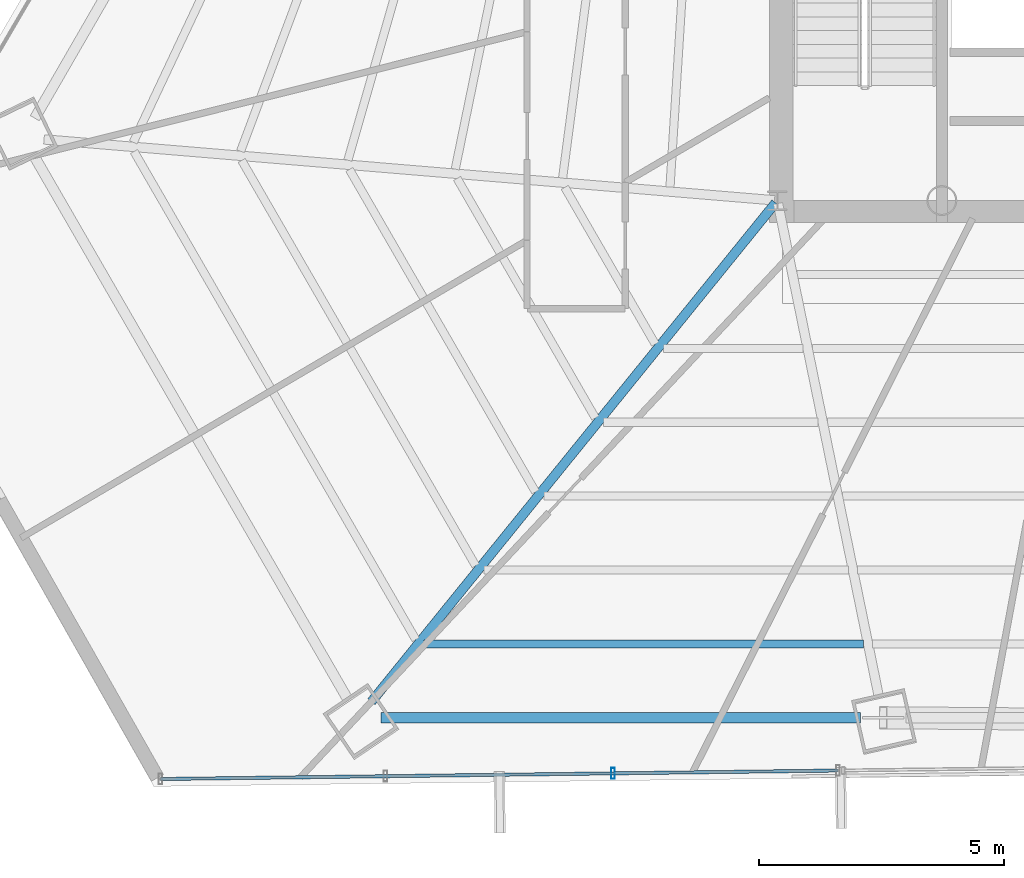
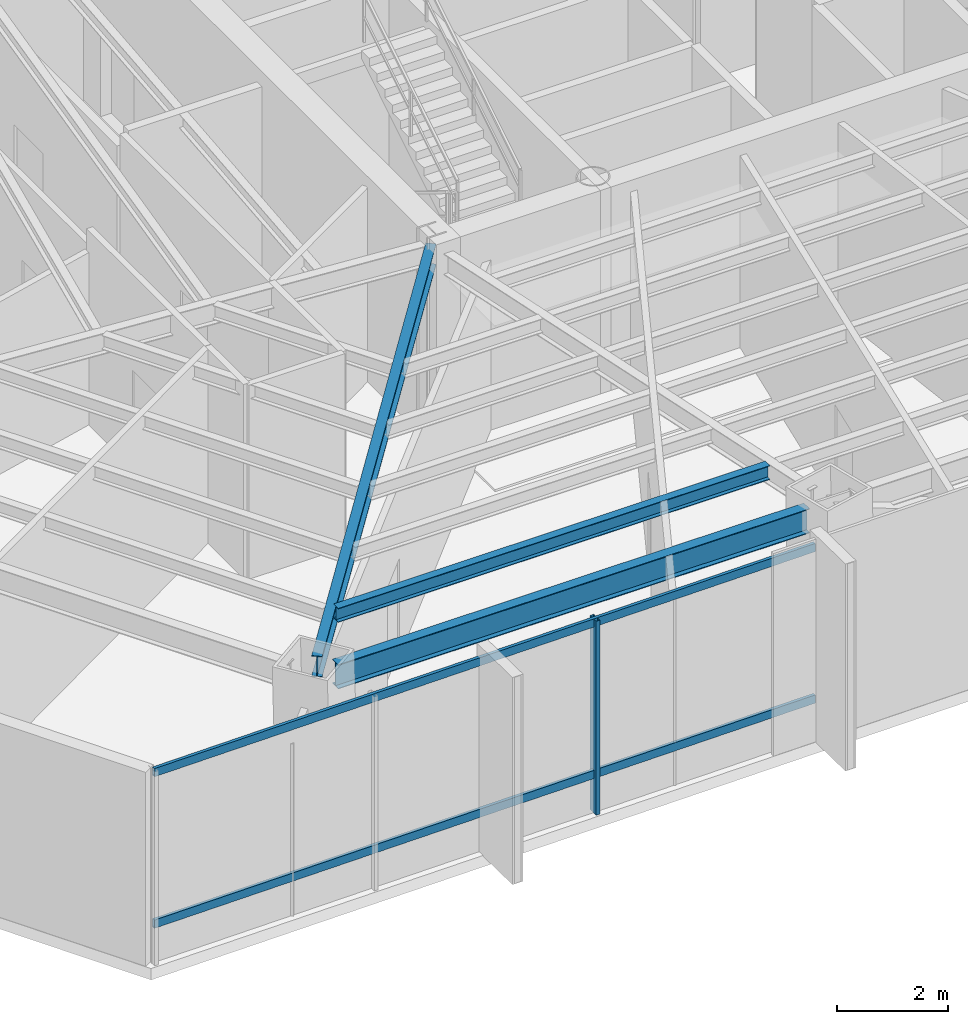
# One storey, part 3 of 37: 3 beams, 3 members, 1 element without a shape of its own.
"""IFC4 building model written with IfcOpenShell, lengths in metres."""

from ifc_helpers import new_model, si_unit, direction, frame, origin, origin_2d, place, context, subcontext, project, spatial, hollow_rectangle, i_section, extrude, source, transform, mapped, material, material_profile, profile_set, type_object, type_shapes, element, aggregate, save


model = new_model("IFC4")

# Units and contexts
model_context = context("Model", 3, precision=1e-05, world=origin(), true_north=direction((0.0, 1.0)))
body_context = subcontext(model_context, "Body", "Model", "MODEL_VIEW")
ifc_project = project(units=[si_unit("LENGTHUNIT", "METRE"), si_unit("AREAUNIT", "SQUARE_METRE"), si_unit("VOLUMEUNIT", "CUBIC_METRE"), si_unit("PLANEANGLEUNIT", "RADIAN"), si_unit("MASSUNIT", "GRAM", prefix="KILO")], contexts=[model_context])

# Site, building, storey
site_placement = place(None, origin())
site = spatial("IfcSite", under=ifc_project, at=site_placement, CompositionType="ELEMENT")
building_placement = place(site_placement, origin())
building = spatial("IfcBuilding", under=site, at=building_placement, Name="Caelisora Broadcast Tower", CompositionType="ELEMENT")
storey_placement = place(building_placement, frame((0.0, 0.0, 127.300048828125)))
storey = spatial("IfcBuildingStorey", under=building, at=storey_placement, Name="L33", CompositionType="ELEMENT", Elevation=127.300048828125)

# Beams
ifc_material_1 = material(Name="Steel Grade 350 (AS/NZS 3679.1)", Category="steel")
ifc_material_profile_1 = material_profile(ifc_material_1, i_section(OverallWidth=0.208984375, OverallDepth=0.532958984375, WebThickness=0.01025390625, FlangeThickness=0.015625, at=origin_2d()), Name="Steel Grade 350 (AS/NZS 3679.1)")
ifc_profile_set_1 = profile_set([ifc_material_profile_1], Name="Steel Grade 350 (AS/NZS 3679.1)")
beam_type_1 = type_object("IfcBeamType", Name="PG05", PredefinedType="BEAM", material=ifc_profile_set_1)
shared_shape_1 = source(origin(), body_context, "Body", "SweptSolid", [
    extrude(i_section(OverallWidth=0.208984375, OverallDepth=0.532958984375, WebThickness=0.01025390625, FlangeThickness=0.015625, at=origin_2d()), origin(), (0.0, 0.0, 1.0), 9.7705078125),
])
type_shapes(beam_type_1, [shared_shape_1])
beam_1_placement = place(storey_placement, frame((22.42431640625, 6.864013671875, 3.9833984375), z_axis=(1.0, 0.0, 0.0), x_axis=(0.0, 1.0, 0.0)))
element("IfcBeam", 1, at=beam_1_placement, inside=storey, type_object=beam_type_1, Name="L33 beam PG05", PredefinedType="BEAM", context=body_context, shape_type="MappedRepresentation", body=[
    mapped(shared_shape_1, transform((0.0, 0.0, 0.0), scale=1.0)),
])
ifc_material_profile_2 = material_profile(ifc_material_1, i_section(OverallWidth=0.19091796875, OverallDepth=0.46044921875, WebThickness=0.010009765625, FlangeThickness=0.01611328125, at=origin_2d()), Name="Steel Grade 350 (AS/NZS 3679.1)")
ifc_profile_set_2 = profile_set([ifc_material_profile_2], Name="Steel Grade 350 (AS/NZS 3679.1)")
beam_type_2 = type_object("IfcBeamType", Name="PG06", PredefinedType="BEAM", material=ifc_profile_set_2)
shared_shape_2 = source(origin(), body_context, "Body", "SweptSolid", [
    extrude(i_section(OverallWidth=0.19091796875, OverallDepth=0.46044921875, WebThickness=0.010009765625, FlangeThickness=0.01611328125, at=origin_2d()), origin(), (0.0, 0.0, 1.0), 13.079833984375),
])
type_shapes(beam_type_2, [shared_shape_2])
beam_2_placement = place(storey_placement, frame((30.462158203125, 17.353515625, 4.019775390625), z_axis=(-0.629472571113, -0.777022703797, 0.0), x_axis=(0.777022703797, -0.629472571113, 0.0)))
element("IfcBeam", 2, at=beam_2_placement, inside=storey, type_object=beam_type_2, Name="L33 beam PG06", PredefinedType="BEAM", context=body_context, shape_type="MappedRepresentation", body=[
    mapped(shared_shape_2, transform((0.0, 0.0, 0.0), scale=1.0)),
])
ifc_material_profile_3 = material_profile(ifc_material_1, i_section(OverallWidth=0.166015625, OverallDepth=0.30712890625, WebThickness=0.006591796875, FlangeThickness=0.01171875, at=origin_2d()), Name="Steel Grade 350 (AS/NZS 3679.1)")
ifc_profile_set_3 = profile_set([ifc_material_profile_3], Name="Steel Grade 350 (AS/NZS 3679.1)")
beam_type_3 = type_object("IfcBeamType", Name="SB03", PredefinedType="JOIST", material=ifc_profile_set_3)
shared_shape_3 = source(origin(), body_context, "Body", "SweptSolid", [
    extrude(i_section(OverallWidth=0.166015625, OverallDepth=0.30712890625, WebThickness=0.006591796875, FlangeThickness=0.01171875, at=origin_2d()), origin(), (0.0, 0.0, 1.0), 8.94873046875),
])
type_shapes(beam_type_3, [shared_shape_3])
beam_3_placement = place(storey_placement, frame((23.3037109375, 8.369140625, 4.096435546875), z_axis=(1.0, 0.0, 0.0), x_axis=(0.0, 1.0, 0.0)))
element("IfcBeam", 3, at=beam_3_placement, inside=storey, type_object=beam_type_3, Name="L33 beam SB03", PredefinedType="JOIST", context=body_context, shape_type="MappedRepresentation", body=[
    mapped(shared_shape_3, transform((0.0, 0.0, 0.0), scale=1.0)),
])

# Curtain wall, members
ifc_material_2 = material(Name="Unitised Aluminium and Low-E Glass Curtain Wall", Category="glass")
curtain_wall_type = type_object("IfcCurtainWallType", Name="CW-SKY", PredefinedType="NOTDEFINED", material=ifc_material_2)
curtain_wall_placement = place(storey_placement, origin())
curtain_wall = element("IfcCurtainWall", 4, at=curtain_wall_placement, inside=storey, type_object=curtain_wall_type, Name="L33 curtain wall CW-SKY", PredefinedType="NOTDEFINED")
ifc_material_3 = material(Name="Aluminium 6063-T6 Anodised Terracotta Bronze", Category="aluminium")
ifc_material_profile_4 = material_profile(ifc_material_3, hollow_rectangle(XDim=0.074951171875, YDim=0.219970703125, WallThickness=0.00390625, at=origin_2d()), Name="Aluminium 6063-T6 Anodised Terracotta Bronze")
ifc_profile_set_4 = profile_set([ifc_material_profile_4], Name="Aluminium 6063-T6 Anodised Terracotta Bronze")
member_type_1 = type_object("IfcMemberType", Name="CWM-01", PredefinedType="MULLION", material=ifc_profile_set_4)
shared_shape_4 = source(origin(), body_context, "Body", "SweptSolid", [
    extrude(hollow_rectangle(XDim=0.074951171875, YDim=0.219970703125, WallThickness=0.00390625, at=origin_2d()), origin(), (0.0, 0.0, 1.0), 4.25),
])
type_shapes(member_type_1, [shared_shape_4])
member_1_placement = place(storey_placement, frame((27.1494140625, 5.731201171875, 0.0), z_axis=(0.0, 0.0, 1.0), x_axis=(1.0, 0.0, 0.0)))
member_1 = element("IfcMember", 5, at=member_1_placement, type_object=member_type_1, Name="L33-CW-B07 mullion #1", PredefinedType="MULLION", context=body_context, shape_type="MappedRepresentation", body=[
    mapped(shared_shape_4, transform((0.0, 0.0, 0.0), scale=1.0)),
])
ifc_material_profile_5 = material_profile(ifc_material_3, hollow_rectangle(XDim=0.06494140625, YDim=0.179931640625, WallThickness=0.00341796875, at=origin_2d()), Name="Aluminium 6063-T6 Anodised Terracotta Bronze")
ifc_profile_set_5 = profile_set([ifc_material_profile_5], Name="Aluminium 6063-T6 Anodised Terracotta Bronze")
member_type_2 = type_object("IfcMemberType", Name="CWT-01", PredefinedType="USERDEFINED", material=ifc_profile_set_5)
shared_shape_5 = source(origin(), body_context, "Body", "SweptSolid", [
    extrude(hollow_rectangle(XDim=0.06494140625, YDim=0.179931640625, WallThickness=0.00341796875, at=origin_2d()), origin(), (0.0, 0.0, 1.0), 13.79931640625),
])
type_shapes(member_type_2, [shared_shape_5])
member_2_placement = place(storey_placement, frame((31.732421875, 5.78857421875, 0.849853515625), z_axis=(-0.999921324837, -0.012543689078, 0.0), x_axis=(0.012543689078, -0.999921324837, 0.0)))
member_2 = element("IfcMember", 6, at=member_2_placement, type_object=member_type_2, Name="L33-CW-B07 transom #1", ObjectType="TRANSOM", PredefinedType="USERDEFINED", context=body_context, shape_type="MappedRepresentation", body=[
    mapped(shared_shape_5, transform((0.0, 0.0, 0.0), scale=1.0)),
])
member_3_placement = place(storey_placement, frame((31.732421875, 5.78857421875, 4.169921875), z_axis=(-0.999921324837, -0.012543689078, 0.0), x_axis=(0.012543689078, -0.999921324837, 0.0)))
member_3 = element("IfcMember", 7, at=member_3_placement, type_object=member_type_2, Name="L33-CW-B07 transom #2", ObjectType="TRANSOM", PredefinedType="USERDEFINED", context=body_context, shape_type="MappedRepresentation", body=[
    mapped(shared_shape_5, transform((0.0, 0.0, 0.0), scale=1.0)),
])
aggregate(curtain_wall, [member_1, member_2, member_3])

save(model, "model.ifc")
